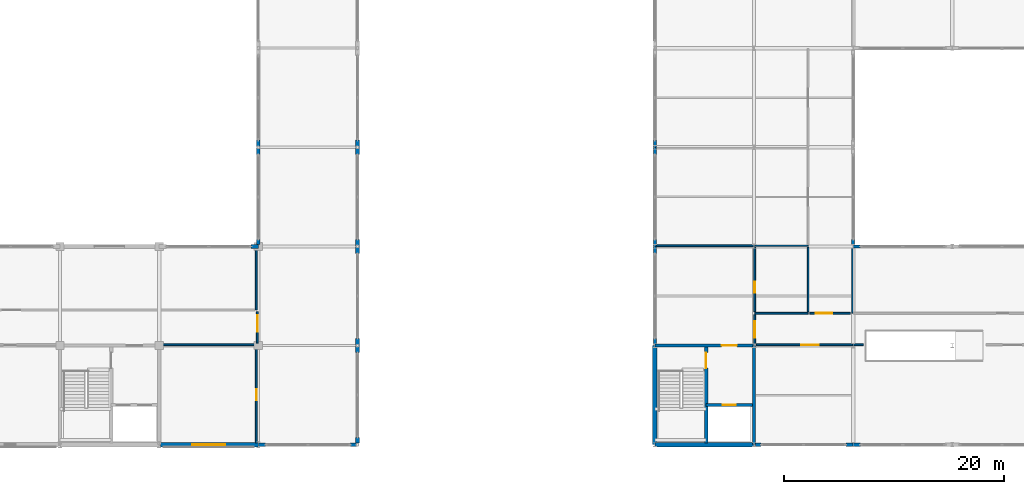
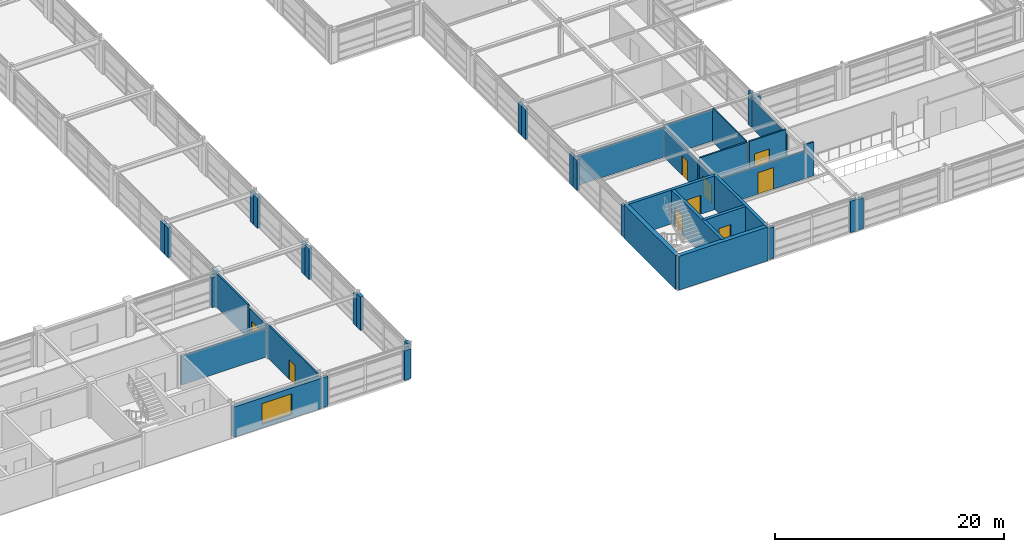
# One storey, part 65 of 79: 44 walls, 9 doors, 1 window, 10 openings.
"""IFC4 building model written with IfcOpenShell, lengths in metres."""

from ifc_helpers import new_model, si_unit, direction, frame, frame_2d, origin, place, context, subcontext, project, spatial, rectangle, extrude, material, layer, layer_set, type_object, element, fill, save


model = new_model("IFC4")

# Units and contexts
model_context = context("Model", 3, precision=1e-05, world=origin(), true_north=direction((0.0, 1.0)))
body_context = subcontext(model_context, "Body", "Model", "MODEL_VIEW")
ifc_project = project(units=[si_unit("LENGTHUNIT", "METRE"), si_unit("AREAUNIT", "SQUARE_METRE"), si_unit("VOLUMEUNIT", "CUBIC_METRE"), si_unit("PLANEANGLEUNIT", "RADIAN"), si_unit("MASSUNIT", "GRAM", prefix="KILO")], contexts=[model_context])

# Site, building, storey
site_placement = place(None, origin())
site = spatial("IfcSite", under=ifc_project, at=site_placement, CompositionType="ELEMENT")
building_placement = place(site_placement, origin())
building = spatial("IfcBuilding", under=site, at=building_placement, Name="Palais des Congres Ocreval", CompositionType="ELEMENT")
storey_placement = place(building_placement, frame((0.0, 0.0, 4.320068359375)))
storey = spatial("IfcBuildingStorey", under=building, at=storey_placement, Name="L01", CompositionType="ELEMENT", Elevation=4.320068359375)

# Walls
ifc_material_1 = material(Name="Concrete C40/50", Category="concrete")
ifc_layer_1 = layer(ifc_material_1, 0.419921875)
ifc_layer_set_1 = layer_set([ifc_layer_1], Name="Congress Stone Facade Wall 420 Concrete C40/50")
wall_type_1 = type_object("IfcWallType", Name="Congress Stone Facade Wall 420 Concrete C40/50", PredefinedType="SOLIDWALL", material=ifc_layer_set_1)
for number, where, z_axis, x_axis, name in (
    (1, (117.0, 0.0, 0.0), (0.0, 0.0, 1.0), (-1.0, 0.0, 0.0), "Core Perimeter Shear Wall EW02 SC09 L01"),
    (2, (108.0, 0.0, 0.0), (0.0, 0.0, 1.0), (0.0, 1.0, 0.0), "Core Perimeter Shear Wall EW02 SC09 L01"),
):
    element("IfcWall", number, at=place(storey_placement, frame(where, z_axis=z_axis, x_axis=x_axis)), inside=storey, type_object=wall_type_1, Name=name, PredefinedType="SOLIDWALL", context=body_context, shape_type="SweptSolid", body=[
        extrude(rectangle(XDim=9.0, YDim=0.419921875, at=frame_2d((4.5, 0.0))), origin(), (0.0, 0.0, 1.0), 3.599853515625),
    ])
ifc_layer_2 = layer(ifc_material_1, 0.300048828125)
ifc_layer_set_2 = layer_set([ifc_layer_2], Name="Core Shear Wall 300 Concrete C40/50")
wall_type_2 = type_object("IfcWallType", Name="Core Shear Wall 300 Concrete C40/50", PredefinedType="SHEAR", material=ifc_layer_set_2)
wall_1_placement = place(storey_placement, frame((117.0, 0.0, 0.0), z_axis=(0.0, 0.0, 1.0), x_axis=(0.0, 1.0, 0.0)))
element("IfcWall", 3, at=wall_1_placement, inside=storey, type_object=wall_type_2, Name="Core Shear Wall SC09 L01 E", PredefinedType="SHEAR", context=body_context, shape_type="SweptSolid", body=[
    extrude(rectangle(XDim=9.0, YDim=0.300048828125, at=frame_2d((4.5, 0.0))), origin(), (0.0, 0.0, 1.0), 3.599853515625),
])

# Wall, opening, door
wall_2_placement = place(storey_placement, frame((108.0, 9.0, 0.0), z_axis=(0.0, 0.0, 1.0), x_axis=(1.0, 0.0, 0.0)))
wall_2 = element("IfcWall", 4, at=wall_2_placement, inside=storey, type_object=wall_type_2, Name="Core Shear Wall SC09 L01 N", PredefinedType="SHEAR", context=body_context, shape_type="SweptSolid", body=[
    extrude(rectangle(XDim=9.0, YDim=0.300048828125, at=frame_2d((4.5, 0.0))), origin(), (0.0, 0.0, 1.0), 3.599853515625),
])
opening_1_placement = place(wall_2_placement, frame((6.050048828125, 0.0, 0.0)))
opening_1 = element("IfcOpeningElement", 5, at=opening_1_placement, cuts=wall_2, Name="Opening D03", PredefinedType="OPENING", context=body_context, shape_type="SweptSolid", body=[
    extrude(rectangle(XDim=1.39990234375, YDim=2.02001953125, at=frame_2d((0.699951171875, 1.010009765625))), frame((0.0, 0.159912109375, 0.0), z_axis=(0.0, -1.0, 0.0), x_axis=(1.0, 0.0, 0.0)), (0.0, 0.0, 1.0), 0.320068359375),
])
ifc_material_2 = material(Name="Painted fire-rated steel", Category="steel")
door_type_1 = type_object("IfcDoorType", Name="Core Lobby Rated Door 1400x2020", OperationType="NOTDEFINED", PredefinedType="DOOR", material=ifc_material_2)
door_1_placement = place(opening_1_placement, origin())
door_1 = element("IfcDoor", 6, at=door_1_placement, inside=storey, type_object=door_type_1, Name="Lobby Entrance Door SC09 L01", OperationType="DOUBLE_DOOR_SINGLE_SWING", OverallHeight=2.02001953125, OverallWidth=1.39990234375, PredefinedType="DOOR", context=body_context, shape_type="SweptSolid", body=[
    extrude(rectangle(XDim=1.39990234375, YDim=2.02001953125, at=frame_2d((0.699951171875, 1.010009765625))), frame((0.0, 0.02490234375, 0.0), z_axis=(0.0, -1.0, 0.0), x_axis=(1.0, 0.0, 0.0)), (0.0, 0.0, 1.0), 0.050048828125),
])
fill(opening_1, door_1)

wall_3_placement = place(storey_placement, frame((112.64990234375, 0.14990234375, 0.0), z_axis=(0.0, 0.0, 1.0), x_axis=(0.0, 1.0, 0.0)))
wall_3 = element("IfcWall", 7, at=wall_3_placement, inside=storey, type_object=wall_type_2, Name="Core Spine Shear Wall SC09 L01", PredefinedType="SHEAR", context=body_context, shape_type="SweptSolid", body=[
    extrude(rectangle(XDim=8.7001953125, YDim=0.300048828125, at=frame_2d((4.35009765625, 0.0))), origin(), (0.0, 0.0, 1.0), 3.599853515625),
])
opening_2_placement = place(wall_3_placement, frame((6.800048828125, 0.0, 0.0)))
opening_2 = element("IfcOpeningElement", 8, at=opening_2_placement, cuts=wall_3, Name="Opening D03", PredefinedType="OPENING", context=body_context, shape_type="SweptSolid", body=[
    extrude(rectangle(XDim=1.39990234375, YDim=2.02001953125, at=frame_2d((0.699951171875, 1.010009765625))), frame((0.0, 0.159912109375, 0.0), z_axis=(0.0, -1.0, 0.0), x_axis=(1.0, 0.0, 0.0)), (0.0, 0.0, 1.0), 0.320068359375),
])
door_2_placement = place(opening_2_placement, origin())
door_2 = element("IfcDoor", 9, at=door_2_placement, inside=storey, type_object=door_type_1, Name="Protected Exit Stair Door ST09 L01", OperationType="SINGLE_SWING_LEFT", OverallHeight=2.02001953125, OverallWidth=1.39990234375, PredefinedType="DOOR", context=body_context, shape_type="SweptSolid", body=[
    extrude(rectangle(XDim=1.39990234375, YDim=2.02001953125, at=frame_2d((0.699951171875, 1.010009765625))), frame((0.0, 0.02490234375, 0.0), z_axis=(0.0, -1.0, 0.0), x_axis=(1.0, 0.0, 0.0)), (0.0, 0.0, 1.0), 0.050048828125),
])
fill(opening_2, door_2)

wall_4_placement = place(storey_placement, frame((112.64990234375, 3.60009765625, 0.0), z_axis=(0.0, 0.0, 1.0), x_axis=(1.0, 0.0, 0.0)))
wall_4 = element("IfcWall", 10, at=wall_4_placement, inside=storey, type_object=wall_type_2, Name="Lift Shaft Front Wall SC09 L01", PredefinedType="SHEAR", context=body_context, shape_type="SweptSolid", body=[
    extrude(rectangle(XDim=4.2001953125, YDim=0.300048828125, at=frame_2d((2.10009765625, 0.0))), origin(), (0.0, 0.0, 1.0), 3.599853515625),
])
opening_3_placement = place(wall_4_placement, frame((1.5, 0.0, 0.0)))
opening_3 = element("IfcOpeningElement", 11, at=opening_3_placement, cuts=wall_4, Name="Opening LD02", PredefinedType="OPENING", context=body_context, shape_type="SweptSolid", body=[
    extrude(rectangle(XDim=1.199951171875, YDim=2.199951171875, at=frame_2d((0.60009765625, 1.10009765625))), frame((0.0, 0.159912109375, 0.0), z_axis=(0.0, -1.0, 0.0), x_axis=(1.0, 0.0, 0.0)), (0.0, 0.0, 1.0), 0.320068359375),
])
ifc_material_3 = material(Name="Anodized bronze steel", Category="steel")
door_type_2 = type_object("IfcDoorType", Name="Passenger and Service Lift Sliding Door 1200x2200", OperationType="NOTDEFINED", PredefinedType="DOOR", material=ifc_material_3)
door_3_placement = place(opening_3_placement, origin())
door_3 = element("IfcDoor", 12, at=door_3_placement, inside=storey, type_object=door_type_2, Name="Lift Landing Sliding Door CL3 L01", OperationType="DOUBLE_DOOR_SLIDING", OverallHeight=2.199951171875, OverallWidth=1.199951171875, PredefinedType="DOOR", context=body_context, shape_type="SweptSolid", body=[
    extrude(rectangle(XDim=1.199951171875, YDim=2.199951171875, at=frame_2d((0.60009765625, 1.10009765625))), frame((0.0, 0.02490234375, 0.0), z_axis=(0.0, -1.0, 0.0), x_axis=(1.0, 0.0, 0.0)), (0.0, 0.0, 1.0), 0.050048828125),
])
fill(opening_3, door_3)

# Walls
ifc_material_4 = material(Name="Gypsum acoustic partition")
ifc_layer_3 = layer(ifc_material_4, 0.159912109375)
ifc_layer_set_3 = layer_set([ifc_layer_3], Name="Corridor Fire Partition 160 Gypsum (Gypsum acoustic partition)")
wall_type_3 = type_object("IfcWallType", Name="Corridor Fire Partition 160 Gypsum", PredefinedType="PARTITIONING", material=ifc_layer_set_3)
wall_5_placement = place(storey_placement, frame((63.155029296875, 9.06494140625, 0.0), z_axis=(0.0, 0.0, 1.0), x_axis=(1.0, 0.0, 0.0)))
element("IfcWall", 13, at=wall_5_placement, inside=storey, type_object=wall_type_3, Name="Interior Partition IW03 L01", PredefinedType="PARTITIONING", context=body_context, shape_type="SweptSolid", body=[
    extrude(rectangle(XDim=8.574951171875, YDim=0.159912109375, at=frame_2d((4.28759765625, 0.0))), origin(), (0.0, 0.0, 1.0), 3.08984375),
])
wall_6_placement = place(storey_placement, frame((71.824951171875, 12.239990234375, 0.0), z_axis=(0.0, 0.0, 1.0), x_axis=(0.0, 1.0, 0.0)))
element("IfcWall", 14, at=wall_6_placement, inside=storey, type_object=wall_type_3, Name="Interior Partition IW03 L01", PredefinedType="PARTITIONING", context=body_context, shape_type="SweptSolid", body=[
    extrude(rectangle(XDim=5.5849609375, YDim=0.159912109375, at=frame_2d((2.79248046875, 0.0))), origin(), (0.0, 0.0, 1.0), 3.58984375),
])
wall_7_placement = place(storey_placement, frame((108.14501953125, 18.06494140625, 0.0), z_axis=(0.0, 0.0, 1.0), x_axis=(1.0, 0.0, 0.0)))
element("IfcWall", 15, at=wall_7_placement, inside=storey, type_object=wall_type_3, Name="Interior Partition IW03 L01", PredefinedType="PARTITIONING", context=body_context, shape_type="SweptSolid", body=[
    extrude(rectangle(XDim=8.9150390625, YDim=0.159912109375, at=frame_2d((4.45751953125, 0.0))), origin(), (0.0, 0.0, 1.0), 3.179931640625),
])
wall_8_placement = place(storey_placement, frame((117.070068359375, 11.93505859375, 0.0), z_axis=(0.0, 0.0, 1.0), x_axis=(1.0, 0.0, 0.0)))
element("IfcWall", 16, at=wall_8_placement, inside=storey, type_object=wall_type_3, Name="Interior Partition IW03 L01", PredefinedType="PARTITIONING", context=body_context, shape_type="SweptSolid", body=[
    extrude(rectangle(XDim=4.829833984375, YDim=0.159912109375, at=frame_2d((2.4150390625, 0.0))), origin(), (0.0, 0.0, 1.0), 3.599853515625),
])

# Wall, opening, door
wall_9_placement = place(storey_placement, frame((71.909912109375, 9.219970703125, 0.0), z_axis=(0.0, 0.0, 1.0), x_axis=(0.0, 1.0, 0.0)))
wall_9 = element("IfcWall", 17, at=wall_9_placement, inside=storey, type_object=wall_type_3, Name="Interior Partition IW03 L01", PredefinedType="PARTITIONING", context=body_context, shape_type="SweptSolid", body=[
    extrude(rectangle(XDim=2.860107421875, YDim=0.159912109375, at=frame_2d((1.43017578125, 0.0))), origin(), (0.0, 0.0, 1.0), 3.280029296875),
])
opening_4_placement = place(wall_9_placement, frame((1.023193359375, 0.0, 0.0)))
opening_4 = element("IfcOpeningElement", 18, at=opening_4_placement, cuts=wall_9, Name="Opening D04", PredefinedType="OPENING", context=body_context, shape_type="SweptSolid", body=[
    extrude(rectangle(XDim=1.5, YDim=2.10009765625, at=frame_2d((0.75, 1.050048828125))), frame((0.0, 0.08984375, 0.0), z_axis=(0.0, -1.0, 0.0), x_axis=(1.0, 0.0, 0.0)), (0.0, 0.0, 1.0), 0.179931640625),
])
ifc_material_5 = material(Name="Solid French oak fire door", Category="wood")
door_type_3 = type_object("IfcDoorType", Name="Corridor Compartment Double Door 1500x2100", OperationType="NOTDEFINED", PredefinedType="DOOR", material=ifc_material_5)
door_4_placement = place(opening_4_placement, origin())
door_4 = element("IfcDoor", 19, at=door_4_placement, inside=storey, type_object=door_type_3, Name="Interior Door D04 L01", OperationType="DOUBLE_DOOR_SINGLE_SWING", OverallHeight=2.10009765625, OverallWidth=1.5, PredefinedType="DOOR", context=body_context, shape_type="SweptSolid", body=[
    extrude(rectangle(XDim=1.5, YDim=2.10009765625, at=frame_2d((0.75, 1.050048828125))), frame((0.0, 0.02490234375, 0.0), z_axis=(0.0, -1.0, 0.0), x_axis=(1.0, 0.0, 0.0)), (0.0, 0.0, 1.0), 0.050048828125),
])
fill(opening_4, door_4)

wall_10_placement = place(storey_placement, frame((71.824951171875, 0.175048828125, 0.0), z_axis=(0.0, 0.0, 1.0), x_axis=(0.0, 1.0, 0.0)))
wall_10 = element("IfcWall", 20, at=wall_10_placement, inside=storey, type_object=wall_type_3, Name="Interior Partition IW03 L01", PredefinedType="PARTITIONING", context=body_context, shape_type="SweptSolid", body=[
    extrude(rectangle(XDim=8.73486328125, YDim=0.159912109375, at=frame_2d((4.367431640625, 0.0))), origin(), (0.0, 0.0, 1.0), 3.58984375),
])
opening_5_placement = place(wall_10_placement, frame((3.867431640625, 0.0, 0.0)))
opening_5 = element("IfcOpeningElement", 21, at=opening_5_placement, cuts=wall_10, Name="Opening D10", PredefinedType="OPENING", context=body_context, shape_type="SweptSolid", body=[
    extrude(rectangle(XDim=1.0, YDim=2.10009765625, at=frame_2d((0.5, 1.050048828125))), frame((0.0, 0.08984375, 0.0), z_axis=(0.0, -1.0, 0.0), x_axis=(1.0, 0.0, 0.0)), (0.0, 0.0, 1.0), 0.179931640625),
])
ifc_material_6 = material(Name="Painted steel", Category="steel")
door_type_4 = type_object("IfcDoorType", Name="Service and Pantry Door 1000x2100", OperationType="NOTDEFINED", PredefinedType="DOOR", material=ifc_material_6)
door_5_placement = place(opening_5_placement, origin())
door_5 = element("IfcDoor", 22, at=door_5_placement, inside=storey, type_object=door_type_4, Name="Interior Door D10 L01", OperationType="SINGLE_SWING_RIGHT", OverallHeight=2.10009765625, OverallWidth=1.0, PredefinedType="DOOR", context=body_context, shape_type="SweptSolid", body=[
    extrude(rectangle(XDim=1.0, YDim=2.10009765625, at=frame_2d((0.5, 1.050048828125))), frame((0.0, 0.02490234375, 0.0), z_axis=(0.0, -1.0, 0.0), x_axis=(1.0, 0.0, 0.0)), (0.0, 0.0, 1.0), 0.050048828125),
])
fill(opening_5, door_5)

wall_11_placement = place(storey_placement, frame((117.06494140625, 9.155029296875, 0.0), z_axis=(0.0, 0.0, 1.0), x_axis=(0.0, 1.0, 0.0)))
wall_11 = element("IfcWall", 23, at=wall_11_placement, inside=storey, type_object=wall_type_3, Name="Interior Partition IW03 L01", PredefinedType="PARTITIONING", context=body_context, shape_type="SweptSolid", body=[
    extrude(rectangle(XDim=2.625, YDim=0.159912109375, at=frame_2d((1.3125, 0.0))), origin(), (0.0, 0.0, 1.0), 3.139892578125),
])
opening_6_placement = place(wall_11_placement, frame((0.5625, 0.0, 0.0)))
opening_6 = element("IfcOpeningElement", 24, at=opening_6_placement, cuts=wall_11, Name="Opening D04", PredefinedType="OPENING", context=body_context, shape_type="SweptSolid", body=[
    extrude(rectangle(XDim=1.5, YDim=2.10009765625, at=frame_2d((0.75, 1.050048828125))), frame((0.0, 0.08984375, 0.0), z_axis=(0.0, -1.0, 0.0), x_axis=(1.0, 0.0, 0.0)), (0.0, 0.0, 1.0), 0.179931640625),
])
door_6_placement = place(opening_6_placement, origin())
door_6 = element("IfcDoor", 25, at=door_6_placement, inside=storey, type_object=door_type_3, Name="Interior Door D04 L01", OperationType="DOUBLE_DOOR_SINGLE_SWING", OverallHeight=2.10009765625, OverallWidth=1.5, PredefinedType="DOOR", context=body_context, shape_type="SweptSolid", body=[
    extrude(rectangle(XDim=1.5, YDim=2.10009765625, at=frame_2d((0.75, 1.050048828125))), frame((0.0, 0.02490234375, 0.0), z_axis=(0.0, -1.0, 0.0), x_axis=(1.0, 0.0, 0.0)), (0.0, 0.0, 1.0), 0.050048828125),
])
fill(opening_6, door_6)

wall_12_placement = place(storey_placement, frame((117.06494140625, 12.090087890625, 0.0), z_axis=(0.0, 0.0, 1.0), x_axis=(0.0, 1.0, 0.0)))
wall_12 = element("IfcWall", 26, at=wall_12_placement, inside=storey, type_object=wall_type_3, Name="Interior Partition IW03 L01", PredefinedType="PARTITIONING", context=body_context, shape_type="SweptSolid", body=[
    extrude(rectangle(XDim=5.81982421875, YDim=0.159912109375, at=frame_2d((2.909912109375, 0.0))), origin(), (0.0, 0.0, 1.0), 3.139892578125),
])
opening_7_placement = place(wall_12_placement, frame((1.711669921875, 0.0, 0.0)))
opening_7 = element("IfcOpeningElement", 27, at=opening_7_placement, cuts=wall_12, Name="Opening D10", PredefinedType="OPENING", context=body_context, shape_type="SweptSolid", body=[
    extrude(rectangle(XDim=1.0, YDim=2.10009765625, at=frame_2d((0.5, 1.050048828125))), frame((0.0, 0.08984375, 0.0), z_axis=(0.0, -1.0, 0.0), x_axis=(1.0, 0.0, 0.0)), (0.0, 0.0, 1.0), 0.179931640625),
])
door_7_placement = place(opening_7_placement, origin())
door_7 = element("IfcDoor", 28, at=door_7_placement, inside=storey, type_object=door_type_4, Name="Interior Door D10 L01", OperationType="SINGLE_SWING_RIGHT", OverallHeight=2.10009765625, OverallWidth=1.0, PredefinedType="DOOR", context=body_context, shape_type="SweptSolid", body=[
    extrude(rectangle(XDim=1.0, YDim=2.10009765625, at=frame_2d((0.5, 1.050048828125))), frame((0.0, 0.02490234375, 0.0), z_axis=(0.0, -1.0, 0.0), x_axis=(1.0, 0.0, 0.0)), (0.0, 0.0, 1.0), 0.050048828125),
])
fill(opening_7, door_7)

wall_13_placement = place(storey_placement, frame((117.219970703125, 9.06494140625, 0.0), z_axis=(0.0, 0.0, 1.0), x_axis=(1.0, 0.0, 0.0)))
wall_13 = element("IfcWall", 29, at=wall_13_placement, inside=storey, type_object=wall_type_3, Name="Interior Partition IW03 L01", PredefinedType="PARTITIONING", context=body_context, shape_type="SweptSolid", body=[
    extrude(rectangle(XDim=8.760009765625, YDim=0.159912109375, at=frame_2d((4.3798828125, 0.0))), origin(), (0.0, 0.0, 1.0), 2.97998046875),
])
opening_8_placement = place(wall_13_placement, frame((4.054931640625, 0.0, 0.0)))
opening_8 = element("IfcOpeningElement", 30, at=opening_8_placement, cuts=wall_13, Name="Opening D12", PredefinedType="OPENING", context=body_context, shape_type="SweptSolid", body=[
    extrude(rectangle(XDim=1.60009765625, YDim=2.300048828125, at=frame_2d((0.800048828125, 1.14990234375))), frame((0.0, 0.08984375, 0.0), z_axis=(0.0, -1.0, 0.0), x_axis=(1.0, 0.0, 0.0)), (0.0, 0.0, 1.0), 0.179931640625),
])
ifc_material_7 = material(Name="Solid French oak", Category="wood")
door_type_5 = type_object("IfcDoorType", Name="Meeting Room Acoustic Double Door 1600x2300", OperationType="NOTDEFINED", PredefinedType="DOOR", material=ifc_material_7)
door_8_placement = place(opening_8_placement, origin())
door_8 = element("IfcDoor", 31, at=door_8_placement, inside=storey, type_object=door_type_5, Name="Interior Door D12 L01", OperationType="DOUBLE_DOOR_SINGLE_SWING", OverallHeight=2.300048828125, OverallWidth=1.60009765625, PredefinedType="DOOR", context=body_context, shape_type="SweptSolid", body=[
    extrude(rectangle(XDim=1.60009765625, YDim=2.300048828125, at=frame_2d((0.800048828125, 1.14990234375))), frame((0.0, 0.02490234375, 0.0), z_axis=(0.0, -1.0, 0.0), x_axis=(1.0, 0.0, 0.0)), (0.0, 0.0, 1.0), 0.050048828125),
])
fill(opening_8, door_8)

wall_14_placement = place(storey_placement, frame((122.06494140625, 11.93505859375, 0.0), z_axis=(0.0, 0.0, 1.0), x_axis=(1.0, 0.0, 0.0)))
wall_14 = element("IfcWall", 32, at=wall_14_placement, inside=storey, type_object=wall_type_3, Name="Interior Partition IW03 L01", PredefinedType="PARTITIONING", context=body_context, shape_type="SweptSolid", body=[
    extrude(rectangle(XDim=3.68994140625, YDim=0.159912109375, at=frame_2d((1.844970703125, 0.0))), origin(), (0.0, 0.0, 1.0), 3.599853515625),
])
opening_9_placement = place(wall_14_placement, frame((0.5400390625, 0.0, 0.0)))
opening_9 = element("IfcOpeningElement", 33, at=opening_9_placement, cuts=wall_14, Name="Opening D04", PredefinedType="OPENING", context=body_context, shape_type="SweptSolid", body=[
    extrude(rectangle(XDim=1.5, YDim=2.10009765625, at=frame_2d((0.75, 1.050048828125))), frame((0.0, 0.08984375, 0.0), z_axis=(0.0, -1.0, 0.0), x_axis=(1.0, 0.0, 0.0)), (0.0, 0.0, 1.0), 0.179931640625),
])
door_9_placement = place(opening_9_placement, origin())
door_9 = element("IfcDoor", 34, at=door_9_placement, inside=storey, type_object=door_type_3, Name="Interior Door D04 L01", OperationType="DOUBLE_DOOR_SINGLE_SWING", OverallHeight=2.10009765625, OverallWidth=1.5, PredefinedType="DOOR", context=body_context, shape_type="SweptSolid", body=[
    extrude(rectangle(XDim=1.5, YDim=2.10009765625, at=frame_2d((0.75, 1.050048828125))), frame((0.0, 0.02490234375, 0.0), z_axis=(0.0, -1.0, 0.0), x_axis=(1.0, 0.0, 0.0)), (0.0, 0.0, 1.0), 0.050048828125),
])
fill(opening_9, door_9)

# Wall
wall_15_placement = place(storey_placement, frame((125.97998046875, 9.06494140625, 0.0), z_axis=(0.0, 0.0, 1.0), x_axis=(1.0, 0.0, 0.0)))
element("IfcWall", 35, at=wall_15_placement, inside=storey, type_object=wall_type_3, Name="Interior Partition IW03 L01", PredefinedType="PARTITIONING", context=body_context, shape_type="SweptSolid", body=[
    extrude(rectangle(XDim=0.949951171875, YDim=0.159912109375, at=frame_2d((0.47509765625, 0.0))), origin(), (0.0, 0.0, 1.0), 3.599853515625),
])

# Wall, opening, window
ifc_layer_4 = layer(ifc_material_1, 0.3798828125)
ifc_layer_set_4 = layer_set([ifc_layer_4], Name="Lutetian Limestone Street Wall 380 Concrete C40/50")
wall_type_4 = type_object("IfcWallType", Name="Lutetian Limestone Street Wall 380 Concrete C40/50", PredefinedType="SOLIDWALL", material=ifc_layer_set_4)
wall_16_placement = place(storey_placement, frame((72.0, 0.0, 0.0), z_axis=(0.0, 0.0, 1.0), x_axis=(-1.0, 0.0, 0.0)))
wall_16 = element("IfcWall", 36, at=wall_16_placement, inside=storey, type_object=wall_type_4, Name="Exterior Wall EW03 L01", PredefinedType="SOLIDWALL", context=body_context, shape_type="SweptSolid", body=[
    extrude(rectangle(XDim=8.8701171875, YDim=0.3798828125, at=frame_2d((4.43505859375, 0.0))), origin(), (0.0, 0.0, 1.0), 3.219970703125),
])
opening_10_placement = place(wall_16_placement, frame((3.0, 0.0, 0.39990234375)))
opening_10 = element("IfcOpeningElement", 37, at=opening_10_placement, cuts=wall_16, Name="Opening WN07", PredefinedType="OPENING", context=body_context, shape_type="SweptSolid", body=[
    extrude(rectangle(XDim=3.0, YDim=2.199951171875, at=frame_2d((1.5, 1.10009765625))), frame((0.0, 0.199951171875, 0.0), z_axis=(0.0, -1.0, 0.0), x_axis=(1.0, 0.0, 0.0)), (0.0, 0.0, 1.0), 0.39990234375),
])
ifc_material_8 = material(Name="Anodized bronze aluminium and low-E glass", Category="glass")
window_type = type_object("IfcWindowType", Name="Crown Belvedere Window 3000x2200", PartitioningType="SINGLE_PANEL", PredefinedType="WINDOW", material=ifc_material_8)
window_placement = place(opening_10_placement, origin())
window = element("IfcWindow", 38, at=window_placement, inside=storey, type_object=window_type, Name="Facade Window WN07", OverallHeight=2.199951171875, OverallWidth=3.0, PartitioningType="SINGLE_PANEL", PredefinedType="WINDOW", context=body_context, shape_type="SweptSolid", body=[
    extrude(rectangle(XDim=3.0, YDim=2.199951171875, at=frame_2d((1.5, 1.10009765625))), frame((0.0, 0.030029296875, 0.0), z_axis=(0.0, -1.0, 0.0), x_axis=(1.0, 0.0, 0.0)), (0.0, 0.0, 1.0), 0.06005859375),
])
fill(opening_10, window)

# Walls
ifc_layer_5 = layer(ifc_material_1, 0.340087890625)
ifc_layer_set_5 = layer_set([ifc_layer_5], Name="Ochre Mineral-Lime Courtyard Wall 340 Concrete C40/50")
wall_type_5 = type_object("IfcWallType", Name="Ochre Mineral-Lime Courtyard Wall 340 Concrete C40/50", PredefinedType="SOLIDWALL", material=ifc_layer_set_5)
wall_17_placement = place(storey_placement, frame((81.0, 27.64990234375, 0.0), z_axis=(0.0, 0.0, 1.0), x_axis=(0.0, -1.0, 0.0)))
element("IfcWall", 39, at=wall_17_placement, inside=storey, type_object=wall_type_5, Name="Facade Pier EW04 L01", PredefinedType="SOLIDWALL", context=body_context, shape_type="SweptSolid", body=[
    extrude(rectangle(XDim=0.64990234375, YDim=0.340087890625, at=frame_2d((0.324951171875, 0.0))), origin(), (0.0, 0.0, 1.0), 3.179931640625),
])
for number, where, z_axis, x_axis, name in (
    (40, (81.0, 27.0, 0.0), (0.0, 0.0, 1.0), (0.0, -1.0, 0.0), "Facade Pier EW04 L01"),
    (41, (81.0, 18.64990234375, 0.0), (0.0, 0.0, 1.0), (0.0, -1.0, 0.0), "Facade Pier EW04 L01"),
):
    element("IfcWall", number, at=place(storey_placement, frame(where, z_axis=z_axis, x_axis=x_axis)), inside=storey, type_object=wall_type_5, Name=name, PredefinedType="SOLIDWALL", context=body_context, shape_type="SweptSolid", body=[
        extrude(rectangle(XDim=0.64990234375, YDim=0.340087890625, at=frame_2d((0.324951171875, 0.0))), origin(), (0.0, 0.0, 1.0), 3.219970703125),
    ])
for number, where, z_axis, x_axis, name in (
    (42, (81.0, 18.0, 0.0), (0.0, 0.0, 1.0), (0.0, -1.0, 0.0), "Facade Pier EW04 L01"),
    (43, (81.0, 9.64990234375, 0.0), (0.0, 0.0, 1.0), (0.0, -1.0, 0.0), "Facade Pier EW04 L01"),
):
    element("IfcWall", number, at=place(storey_placement, frame(where, z_axis=z_axis, x_axis=x_axis)), inside=storey, type_object=wall_type_5, Name=name, PredefinedType="SOLIDWALL", context=body_context, shape_type="SweptSolid", body=[
        extrude(rectangle(XDim=0.64990234375, YDim=0.340087890625, at=frame_2d((0.324951171875, 0.0))), origin(), (0.0, 0.0, 1.0), 3.280029296875),
    ])
wall_18_placement = place(storey_placement, frame((81.0, 9.0, 0.0), z_axis=(0.0, 0.0, 1.0), x_axis=(0.0, -1.0, 0.0)))
element("IfcWall", 44, at=wall_18_placement, inside=storey, type_object=wall_type_5, Name="Facade Pier EW04 L01", PredefinedType="SOLIDWALL", context=body_context, shape_type="SweptSolid", body=[
    extrude(rectangle(XDim=0.64990234375, YDim=0.340087890625, at=frame_2d((0.324951171875, 0.0))), origin(), (0.0, 0.0, 1.0), 3.58984375),
])
wall_19_placement = place(storey_placement, frame((81.0, 0.64990234375, 0.0), z_axis=(0.0, 0.0, 1.0), x_axis=(0.0, -1.0, 0.0)))
element("IfcWall", 45, at=wall_19_placement, inside=storey, type_object=wall_type_5, Name="Facade Pier EW04 L01", PredefinedType="SOLIDWALL", context=body_context, shape_type="SweptSolid", body=[
    extrude(rectangle(XDim=0.494873046875, YDim=0.340087890625, at=frame_2d((0.24755859375, 0.0))), origin(), (0.0, 0.0, 1.0), 3.58984375),
])
for number, where, z_axis, x_axis, name in (
    (46, (81.0, 0.0, 0.0), (0.0, 0.0, 1.0), (-1.0, 0.0, 0.0), "Facade Pier EW04 L01"),
    (47, (72.64990234375, 0.0, 0.0), (0.0, 0.0, 1.0), (-1.0, 0.0, 0.0), "Facade Pier EW04 L01"),
):
    element("IfcWall", number, at=place(storey_placement, frame(where, z_axis=z_axis, x_axis=x_axis)), inside=storey, type_object=wall_type_5, Name=name, PredefinedType="SOLIDWALL", context=body_context, shape_type="SweptSolid", body=[
        extrude(rectangle(XDim=0.64990234375, YDim=0.340087890625, at=frame_2d((0.324951171875, 0.0))), origin(), (0.0, 0.0, 1.0), 3.179931640625),
    ])
wall_20_placement = place(storey_placement, frame((71.35009765625, 18.0, 0.0), z_axis=(0.0, 0.0, 1.0), x_axis=(1.0, 0.0, 0.0)))
element("IfcWall", 48, at=wall_20_placement, inside=storey, type_object=wall_type_5, Name="Facade Pier EW04 L01", PredefinedType="SOLIDWALL", context=body_context, shape_type="SweptSolid", body=[
    extrude(rectangle(XDim=0.64990234375, YDim=0.340087890625, at=frame_2d((0.324951171875, 0.0))), origin(), (0.0, 0.0, 1.0), 3.219970703125),
])
wall_21_placement = place(storey_placement, frame((72.0, 18.155029296875, 0.0), z_axis=(0.0, 0.0, 1.0), x_axis=(0.0, 1.0, 0.0)))
element("IfcWall", 49, at=wall_21_placement, inside=storey, type_object=wall_type_5, Name="Facade Pier EW04 L01", PredefinedType="SOLIDWALL", context=body_context, shape_type="SweptSolid", body=[
    extrude(rectangle(XDim=0.494873046875, YDim=0.340087890625, at=frame_2d((0.24755859375, 0.0))), origin(), (0.0, 0.0, 1.0), 3.58984375),
])
wall_22_placement = place(storey_placement, frame((72.0, 26.35009765625, 0.0), z_axis=(0.0, 0.0, 1.0), x_axis=(0.0, 1.0, 0.0)))
element("IfcWall", 50, at=wall_22_placement, inside=storey, type_object=wall_type_5, Name="Facade Pier EW04 L01", PredefinedType="SOLIDWALL", context=body_context, shape_type="SweptSolid", body=[
    extrude(rectangle(XDim=0.64990234375, YDim=0.340087890625, at=frame_2d((0.324951171875, 0.0))), origin(), (0.0, 0.0, 1.0), 3.219970703125),
])
wall_23_placement = place(storey_placement, frame((72.0, 27.0, 0.0), z_axis=(0.0, 0.0, 1.0), x_axis=(0.0, 1.0, 0.0)))
element("IfcWall", 51, at=wall_23_placement, inside=storey, type_object=wall_type_5, Name="Facade Pier EW04 L01", PredefinedType="SOLIDWALL", context=body_context, shape_type="SweptSolid", body=[
    extrude(rectangle(XDim=0.64990234375, YDim=0.340087890625, at=frame_2d((0.324951171875, 0.0))), origin(), (0.0, 0.0, 1.0), 3.179931640625),
])
ifc_material_9 = material(Name="Gypsum board partition")
ifc_layer_6 = layer(ifc_material_9, 0.1201171875)
ifc_layer_set_6 = layer_set([ifc_layer_6], Name="Suite Subdivision Partition 120 Gypsum (Gypsum board partition)")
wall_type_6 = type_object("IfcWallType", Name="Suite Subdivision Partition 120 Gypsum", PredefinedType="PARTITIONING", material=ifc_layer_set_6)
wall_24_placement = place(storey_placement, frame((117.070068359375, 18.06494140625, 0.0), z_axis=(0.0, 0.0, 1.0), x_axis=(1.0, 0.0, 0.0)))
element("IfcWall", 52, at=wall_24_placement, inside=storey, type_object=wall_type_6, Name="Interior Partition IW04 L01", PredefinedType="PARTITIONING", context=body_context, shape_type="SweptSolid", body=[
    extrude(rectangle(XDim=4.829833984375, YDim=0.1201171875, at=frame_2d((2.4150390625, 0.0))), origin(), (0.0, 0.0, 1.0), 3.349853515625),
])
wall_25_placement = place(storey_placement, frame((121.909912109375, 12.090087890625, 0.0), z_axis=(0.0, 0.0, 1.0), x_axis=(0.0, 1.0, 0.0)))
element("IfcWall", 53, at=wall_25_placement, inside=storey, type_object=wall_type_6, Name="Interior Partition IW04 L01", PredefinedType="PARTITIONING", context=body_context, shape_type="SweptSolid", body=[
    extrude(rectangle(XDim=5.81982421875, YDim=0.1201171875, at=frame_2d((2.909912109375, 0.0))), origin(), (0.0, 0.0, 1.0), 3.599853515625),
])
wall_26_placement = place(storey_placement, frame((125.909912109375, 11.93994140625, 0.0), z_axis=(0.0, 0.0, 1.0), x_axis=(0.0, 1.0, 0.0)))
element("IfcWall", 54, at=wall_26_placement, inside=storey, type_object=wall_type_6, Name="Interior Partition IW04 L01", PredefinedType="PARTITIONING", context=body_context, shape_type="SweptSolid", body=[
    extrude(rectangle(XDim=5.9150390625, YDim=0.1201171875, at=frame_2d((2.95751953125, 0.0))), origin(), (0.0, 0.0, 1.0), 3.08984375),
])
ifc_layer_7 = layer(ifc_material_1, 0.280029296875)
ifc_layer_set_7 = layer_set([ifc_layer_7], Name="Terracotta Mineral-Lime Facade Wall 280 Concrete C40/50")
wall_type_7 = type_object("IfcWallType", Name="Terracotta Mineral-Lime Facade Wall 280 Concrete C40/50", PredefinedType="SOLIDWALL", material=ifc_layer_set_7)
wall_27_placement = place(storey_placement, frame((126.64990234375, 0.0, 0.0), z_axis=(0.0, 0.0, 1.0), x_axis=(-1.0, 0.0, 0.0)))
element("IfcWall", 55, at=wall_27_placement, inside=storey, type_object=wall_type_7, Name="Facade Pier EW05 L01", PredefinedType="SOLIDWALL", context=body_context, shape_type="SweptSolid", body=[
    extrude(rectangle(XDim=0.64990234375, YDim=0.280029296875, at=frame_2d((0.324951171875, 0.0))), origin(), (0.0, 0.0, 1.0), 3.280029296875),
])
wall_28_placement = place(storey_placement, frame((126.0, 0.0, 0.0), z_axis=(0.0, 0.0, 1.0), x_axis=(-1.0, 0.0, 0.0)))
element("IfcWall", 56, at=wall_28_placement, inside=storey, type_object=wall_type_7, Name="Facade Pier EW05 L01", PredefinedType="SOLIDWALL", context=body_context, shape_type="SweptSolid", body=[
    extrude(rectangle(XDim=0.64990234375, YDim=0.280029296875, at=frame_2d((0.324951171875, 0.0))), origin(), (0.0, 0.0, 1.0), 3.349853515625),
])
wall_29_placement = place(storey_placement, frame((117.64990234375, 0.0, 0.0), z_axis=(0.0, 0.0, 1.0), x_axis=(-1.0, 0.0, 0.0)))
element("IfcWall", 57, at=wall_29_placement, inside=storey, type_object=wall_type_7, Name="Facade Pier EW05 L01", PredefinedType="SOLIDWALL", context=body_context, shape_type="SweptSolid", body=[
    extrude(rectangle(XDim=0.52001953125, YDim=0.280029296875, at=frame_2d((0.260009765625, 0.0))), origin(), (0.0, 0.0, 1.0), 3.349853515625),
])
wall_30_placement = place(storey_placement, frame((108.0, 9.1298828125, 0.0), z_axis=(0.0, 0.0, 1.0), x_axis=(0.0, 1.0, 0.0)))
element("IfcWall", 58, at=wall_30_placement, inside=storey, type_object=wall_type_7, Name="Facade Pier EW05 L01", PredefinedType="SOLIDWALL", context=body_context, shape_type="SweptSolid", body=[
    extrude(rectangle(XDim=0.52001953125, YDim=0.280029296875, at=frame_2d((0.260009765625, 0.0))), origin(), (0.0, 0.0, 1.0), 3.280029296875),
])
wall_31_placement = place(storey_placement, frame((108.0, 17.35009765625, 0.0), z_axis=(0.0, 0.0, 1.0), x_axis=(0.0, 1.0, 0.0)))
element("IfcWall", 59, at=wall_31_placement, inside=storey, type_object=wall_type_7, Name="Facade Pier EW05 L01", PredefinedType="SOLIDWALL", context=body_context, shape_type="SweptSolid", body=[
    extrude(rectangle(XDim=0.64990234375, YDim=0.280029296875, at=frame_2d((0.324951171875, 0.0))), origin(), (0.0, 0.0, 1.0), 3.280029296875),
])
for number, where, z_axis, x_axis, name in (
    (60, (108.0, 18.0, 0.0), (0.0, 0.0, 1.0), (0.0, 1.0, 0.0), "Facade Pier EW05 L01"),
    (61, (108.0, 26.35009765625, 0.0), (0.0, 0.0, 1.0), (0.0, 1.0, 0.0), "Facade Pier EW05 L01"),
):
    element("IfcWall", number, at=place(storey_placement, frame(where, z_axis=z_axis, x_axis=x_axis)), inside=storey, type_object=wall_type_7, Name=name, PredefinedType="SOLIDWALL", context=body_context, shape_type="SweptSolid", body=[
        extrude(rectangle(XDim=0.64990234375, YDim=0.280029296875, at=frame_2d((0.324951171875, 0.0))), origin(), (0.0, 0.0, 1.0), 3.219970703125),
    ])
wall_32_placement = place(storey_placement, frame((108.0, 27.0, 0.0), z_axis=(0.0, 0.0, 1.0), x_axis=(0.0, 1.0, 0.0)))
element("IfcWall", 62, at=wall_32_placement, inside=storey, type_object=wall_type_7, Name="Facade Pier EW05 L01", PredefinedType="SOLIDWALL", context=body_context, shape_type="SweptSolid", body=[
    extrude(rectangle(XDim=0.64990234375, YDim=0.280029296875, at=frame_2d((0.324951171875, 0.0))), origin(), (0.0, 0.0, 1.0), 3.179931640625),
])
wall_33_placement = place(storey_placement, frame((126.0, 18.64990234375, 0.0), z_axis=(0.0, 0.0, 1.0), x_axis=(0.0, -1.0, 0.0)))
element("IfcWall", 63, at=wall_33_placement, inside=storey, type_object=wall_type_7, Name="Facade Pier EW05 L01", PredefinedType="SOLIDWALL", context=body_context, shape_type="SweptSolid", body=[
    extrude(rectangle(XDim=0.494873046875, YDim=0.280029296875, at=frame_2d((0.24755859375, 0.0))), origin(), (0.0, 0.0, 1.0), 3.599853515625),
])
wall_34_placement = place(storey_placement, frame((126.0, 18.0, 0.0), z_axis=(0.0, 0.0, 1.0), x_axis=(1.0, 0.0, 0.0)))
element("IfcWall", 64, at=wall_34_placement, inside=storey, type_object=wall_type_7, Name="Facade Pier EW05 L01", PredefinedType="SOLIDWALL", context=body_context, shape_type="SweptSolid", body=[
    extrude(rectangle(XDim=0.64990234375, YDim=0.280029296875, at=frame_2d((0.324951171875, 0.0))), origin(), (0.0, 0.0, 1.0), 3.280029296875),
])

save(model, "model.ifc")
